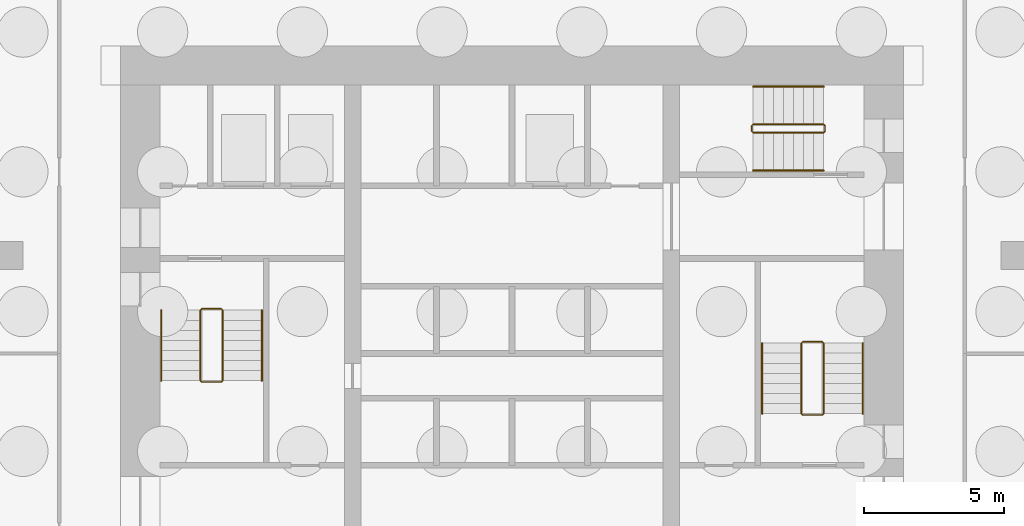
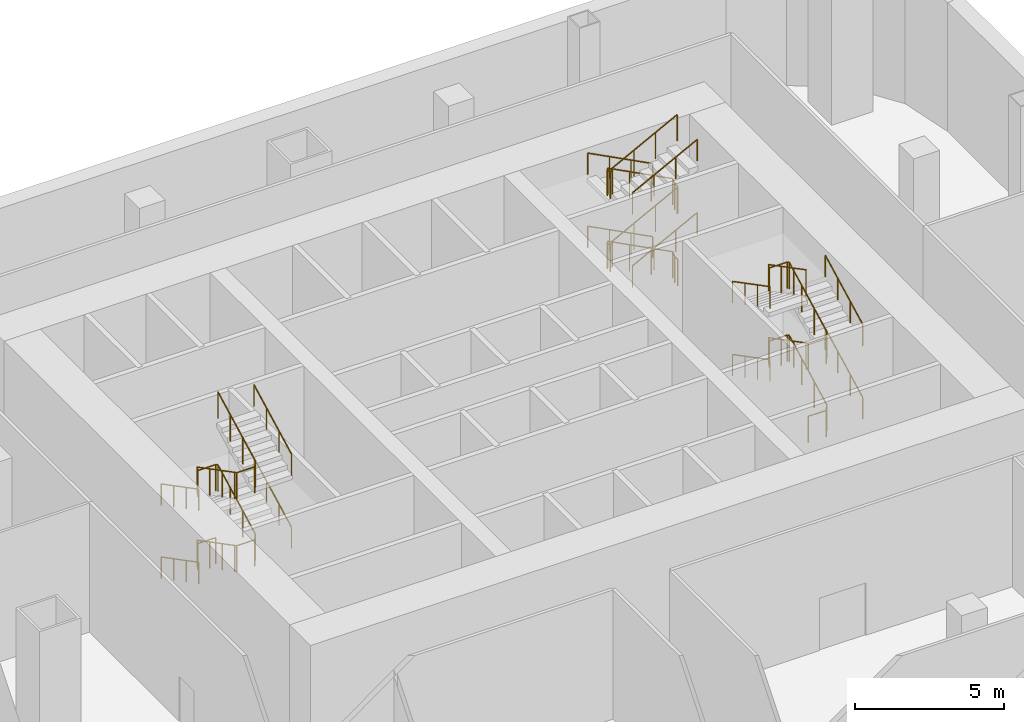
# One storey, part 5 of 6: 15 railings.
"""IFC4 building model written with IfcOpenShell, lengths in metres."""

from ifc_helpers import new_model, si_unit, direction, frame, origin, origin_2d, place, context, subcontext, project, spatial, circle, extrude, material, type_object, element, save


model = new_model("IFC4")

# Units and contexts
model_context = context("Model", 3, precision=1e-05, world=origin(), true_north=direction((0.0, 1.0)))
body_context = subcontext(model_context, "Body", "Model", "MODEL_VIEW")
ifc_project = project(units=[si_unit("LENGTHUNIT", "METRE"), si_unit("AREAUNIT", "SQUARE_METRE"), si_unit("VOLUMEUNIT", "CUBIC_METRE"), si_unit("PLANEANGLEUNIT", "RADIAN"), si_unit("MASSUNIT", "GRAM", prefix="KILO")], contexts=[model_context])

# Site, building, storey
site_placement = place(None, origin())
site = spatial("IfcSite", under=ifc_project, at=site_placement, CompositionType="ELEMENT")
building_placement = place(site_placement, origin())
building = spatial("IfcBuilding", under=site, at=building_placement, Name="Verdant Reach Tower", CompositionType="ELEMENT")
storey_placement = place(building_placement, frame((0.0, 0.0, -6.0)))
storey = spatial("IfcBuildingStorey", under=building, at=storey_placement, Name="B1", CompositionType="ELEMENT", Elevation=-6.0)

# Railings
ifc_material = material(Name="Stainless steel", Category="steel")
railing_type_1 = type_object("IfcRailingType", Name="CO-GUARD", PredefinedType="GUARDRAIL", material=ifc_material)
railing_1_placement = place(storey_placement, frame((-10.39990234375, 29.60009765625, 0.0)))
element("IfcRailing", 1, at=railing_1_placement, inside=storey, type_object=railing_type_1, Name="B1 ST-1 stair guard 1", PredefinedType="GUARDRAIL", context=body_context, shape_type="SweptSolid", body=[
    extrude(circle(Radius=0.02392578125, at=origin_2d()), frame((0.0, 0.0, 1.076171875), z_axis=(-1.0, 0.0, 0.0), x_axis=(0.0, -1.0, 0.0)), (0.0, 0.0, 1.0), 0.7001953125),
    extrude(circle(Radius=0.02392578125, at=origin_2d()), frame((-0.7001953125, 0.0, 1.076171875), z_axis=(-0.248583702486, -0.249802250048, 0.935844527007), x_axis=(0.708833529934, -0.705375805398, 0.0)), (0.0, 0.0, 1.0), 0.200439453125),
    extrude(circle(Radius=0.02392578125, at=origin_2d()), frame((-0.75, -0.050048828125, 1.263671875), z_axis=(0.0, -0.886915550956, 0.461931602591), x_axis=(1.0, 0.0, 0.0)), (0.0, 0.0, 1.0), 2.84130859375),
    extrude(circle(Radius=0.02392578125, at=origin_2d()), frame((-0.75, -2.570068359375, 2.576171875), z_axis=(0.705375805398, -0.708833529934, 0.0), x_axis=(0.708833529934, 0.705375805398, 0.0)), (0.0, 0.0, 1.0), 0.070556640625),
    extrude(circle(Radius=0.02392578125, at=origin_2d()), frame((-0.7001953125, -2.6201171875, 2.576171875), z_axis=(1.0, 0.0, 0.0), x_axis=(0.0, 1.0, 0.0)), (0.0, 0.0, 1.0), 0.7001953125),
    extrude(circle(Radius=0.02392578125, at=origin_2d()), frame((0.0, -2.6201171875, 2.576171875), z_axis=(0.248583702486, 0.249802250048, 0.935844527007), x_axis=(-0.708833529934, 0.705375805398, 0.0)), (0.0, 0.0, 1.0), 0.200439453125),
    extrude(circle(Radius=0.02392578125, at=origin_2d()), frame((0.0498046875, -2.570068359375, 2.763671875), z_axis=(0.0, 0.886915550956, 0.461931602591), x_axis=(-1.0, 0.0, 0.0)), (0.0, 0.0, 1.0), 2.84130859375),
    extrude(circle(Radius=0.02392578125, at=origin_2d()), frame((0.0498046875, -0.050048828125, 4.076171875), z_axis=(-0.705375805398, 0.708833529934, 0.0), x_axis=(-0.708833529934, -0.705375805398, 0.0)), (0.0, 0.0, 1.0), 0.070556640625),
    extrude(circle(Radius=0.02392578125, at=origin_2d()), frame((0.0, 0.0, 4.076171875), z_axis=(-1.0, 0.0, 0.0), x_axis=(0.0, -1.0, 0.0)), (0.0, 0.0, 1.0), 0.7001953125),
    extrude(circle(Radius=0.02392578125, at=origin_2d()), frame((-0.7001953125, 0.0, 4.076171875), z_axis=(-0.248583702486, -0.249802250048, 0.935844527007), x_axis=(0.708833529934, -0.705375805398, 0.0)), (0.0, 0.0, 1.0), 0.200439453125),
    extrude(circle(Radius=0.02392578125, at=origin_2d()), frame((-0.75, -0.050048828125, 4.263671875), z_axis=(0.0, -0.886915550956, 0.461931602591), x_axis=(1.0, 0.0, 0.0)), (0.0, 0.0, 1.0), 2.84130859375),
    extrude(circle(Radius=0.02392578125, at=origin_2d()), frame((-0.75, -2.570068359375, 5.576171875), z_axis=(0.705375805398, -0.708833529934, 0.0), x_axis=(0.708833529934, 0.705375805398, 0.0)), (0.0, 0.0, 1.0), 0.070556640625),
    extrude(circle(Radius=0.02392578125, at=origin_2d()), frame((-0.7001953125, -2.6201171875, 5.576171875), z_axis=(1.0, 0.0, 0.0), x_axis=(0.0, 1.0, 0.0)), (0.0, 0.0, 1.0), 0.7001953125),
    extrude(circle(Radius=0.02392578125, at=origin_2d()), frame((0.0, -2.6201171875, 5.576171875), z_axis=(0.248583702486, 0.249802250048, 0.935844527007), x_axis=(-0.708833529934, 0.705375805398, 0.0)), (0.0, 0.0, 1.0), 0.200439453125),
    extrude(circle(Radius=0.02392578125, at=origin_2d()), frame((0.0498046875, -2.570068359375, 5.763671875), z_axis=(0.0, 0.886915550956, 0.461931602591), x_axis=(-1.0, 0.0, 0.0)), (0.0, 0.0, 1.0), 2.84130859375),
    extrude(circle(Radius=0.02099609375, at=origin_2d()), origin(), (0.0, 0.0, 1.0), 1.052001953125),
    extrude(circle(Radius=0.02099609375, at=origin_2d()), frame((-0.7001953125, 0.0, 0.0)), (0.0, 0.0, 1.0), 1.052001953125),
    extrude(circle(Radius=0.02099609375, at=origin_2d()), frame((-0.75, -0.050048828125, 0.1875)), (0.0, 0.0, 1.0), 1.052001953125),
    extrude(circle(Radius=0.02099609375, at=origin_2d()), frame((-0.75, -0.89013671875, 0.625)), (0.0, 0.0, 1.0), 1.052001953125),
    extrude(circle(Radius=0.02099609375, at=origin_2d()), frame((-0.75, -1.72998046875, 1.0625)), (0.0, 0.0, 1.0), 1.052001953125),
    extrude(circle(Radius=0.02099609375, at=origin_2d()), frame((-0.75, -2.570068359375, 1.5)), (0.0, 0.0, 1.0), 1.052001953125),
    extrude(circle(Radius=0.02099609375, at=origin_2d()), frame((-0.7001953125, -2.6201171875, 1.5)), (0.0, 0.0, 1.0), 1.052001953125),
    extrude(circle(Radius=0.02099609375, at=origin_2d()), frame((0.0, -2.6201171875, 1.5)), (0.0, 0.0, 1.0), 1.052001953125),
    extrude(circle(Radius=0.02099609375, at=origin_2d()), frame((0.0498046875, -2.570068359375, 1.6875)), (0.0, 0.0, 1.0), 1.052001953125),
    extrude(circle(Radius=0.02099609375, at=origin_2d()), frame((0.0498046875, -1.72998046875, 2.125)), (0.0, 0.0, 1.0), 1.052001953125),
    extrude(circle(Radius=0.02099609375, at=origin_2d()), frame((0.0498046875, -0.89013671875, 2.5625)), (0.0, 0.0, 1.0), 1.052001953125),
    extrude(circle(Radius=0.02099609375, at=origin_2d()), frame((0.0498046875, -0.050048828125, 3.0)), (0.0, 0.0, 1.0), 1.052001953125),
    extrude(circle(Radius=0.02099609375, at=origin_2d()), frame((0.0, 0.0, 3.0)), (0.0, 0.0, 1.0), 1.052001953125),
    extrude(circle(Radius=0.02099609375, at=origin_2d()), frame((-0.7001953125, 0.0, 3.0)), (0.0, 0.0, 1.0), 1.052001953125),
    extrude(circle(Radius=0.02099609375, at=origin_2d()), frame((-0.75, -0.050048828125, 3.1875)), (0.0, 0.0, 1.0), 1.052001953125),
    extrude(circle(Radius=0.02099609375, at=origin_2d()), frame((-0.75, -0.89013671875, 3.625)), (0.0, 0.0, 1.0), 1.052001953125),
    extrude(circle(Radius=0.02099609375, at=origin_2d()), frame((-0.75, -1.72998046875, 4.0625)), (0.0, 0.0, 1.0), 1.052001953125),
    extrude(circle(Radius=0.02099609375, at=origin_2d()), frame((-0.75, -2.570068359375, 4.5)), (0.0, 0.0, 1.0), 1.052001953125),
    extrude(circle(Radius=0.02099609375, at=origin_2d()), frame((-0.7001953125, -2.6201171875, 4.5)), (0.0, 0.0, 1.0), 1.052001953125),
    extrude(circle(Radius=0.02099609375, at=origin_2d()), frame((0.0, -2.6201171875, 4.5)), (0.0, 0.0, 1.0), 1.052001953125),
    extrude(circle(Radius=0.02099609375, at=origin_2d()), frame((0.0498046875, -2.570068359375, 4.6875)), (0.0, 0.0, 1.0), 1.052001953125),
    extrude(circle(Radius=0.02099609375, at=origin_2d()), frame((0.0498046875, -1.72998046875, 5.125)), (0.0, 0.0, 1.0), 1.052001953125),
    extrude(circle(Radius=0.02099609375, at=origin_2d()), frame((0.0498046875, -0.89013671875, 5.5625)), (0.0, 0.0, 1.0), 1.052001953125),
    extrude(circle(Radius=0.02099609375, at=origin_2d()), frame((0.0498046875, -0.050048828125, 6.0)), (0.0, 0.0, 1.0), 1.052001953125),
])
railing_2_placement = place(storey_placement, frame((10.39990234375, 25.800048828125, 0.0)))
element("IfcRailing", 2, at=railing_2_placement, inside=storey, type_object=railing_type_1, Name="B1 ST-2 stair guard 1", PredefinedType="GUARDRAIL", context=body_context, shape_type="SweptSolid", body=[
    extrude(circle(Radius=0.02392578125, at=origin_2d()), frame((0.0, 0.0, 1.076171875), z_axis=(1.0, 0.0, 0.0), x_axis=(0.0, 1.0, 0.0)), (0.0, 0.0, 1.0), 0.7001953125),
    extrude(circle(Radius=0.02392578125, at=origin_2d()), frame((0.7001953125, 0.0, 1.076171875), z_axis=(0.248583702486, 0.249802250048, 0.935844527007), x_axis=(-0.708833529934, 0.705375805398, 0.0)), (0.0, 0.0, 1.0), 0.200439453125),
    extrude(circle(Radius=0.02392578125, at=origin_2d()), frame((0.75, 0.050048828125, 1.263671875), z_axis=(0.0, 0.886915550956, 0.461931602591), x_axis=(-1.0, 0.0, 0.0)), (0.0, 0.0, 1.0), 2.84130859375),
    extrude(circle(Radius=0.02392578125, at=origin_2d()), frame((0.75, 2.570068359375, 2.576171875), z_axis=(-0.707106781187, 0.707106781187, 0.0), x_axis=(-0.707106781187, -0.707106781187, 0.0)), (0.0, 0.0, 1.0), 0.0703125),
    extrude(circle(Radius=0.02392578125, at=origin_2d()), frame((0.7001953125, 2.619873046875, 2.576171875), z_axis=(-1.0, 0.0, 0.0), x_axis=(0.0, -1.0, 0.0)), (0.0, 0.0, 1.0), 0.7001953125),
    extrude(circle(Radius=0.02392578125, at=origin_2d()), frame((0.0, 2.619873046875, 2.576171875), z_axis=(-0.248659220195, -0.248659220195, 0.936128828968), x_axis=(0.707106781187, -0.707106781187, 0.0)), (0.0, 0.0, 1.0), 0.2001953125),
    extrude(circle(Radius=0.02392578125, at=origin_2d()), frame((-0.0498046875, 2.570068359375, 2.763671875), z_axis=(0.0, -0.886915550956, 0.461931602591), x_axis=(1.0, 0.0, 0.0)), (0.0, 0.0, 1.0), 2.84130859375),
    extrude(circle(Radius=0.02392578125, at=origin_2d()), frame((-0.0498046875, 0.050048828125, 4.076171875), z_axis=(0.705375805398, -0.708833529934, 0.0), x_axis=(0.708833529934, 0.705375805398, 0.0)), (0.0, 0.0, 1.0), 0.070556640625),
    extrude(circle(Radius=0.02392578125, at=origin_2d()), frame((0.0, 0.0, 4.076171875), z_axis=(1.0, 0.0, 0.0), x_axis=(0.0, 1.0, 0.0)), (0.0, 0.0, 1.0), 0.7001953125),
    extrude(circle(Radius=0.02392578125, at=origin_2d()), frame((0.7001953125, 0.0, 4.076171875), z_axis=(0.248583702486, 0.249802250048, 0.935844527007), x_axis=(-0.708833529934, 0.705375805398, 0.0)), (0.0, 0.0, 1.0), 0.200439453125),
    extrude(circle(Radius=0.02392578125, at=origin_2d()), frame((0.75, 0.050048828125, 4.263671875), z_axis=(0.0, 0.886915550956, 0.461931602591), x_axis=(-1.0, 0.0, 0.0)), (0.0, 0.0, 1.0), 2.84130859375),
    extrude(circle(Radius=0.02392578125, at=origin_2d()), frame((0.75, 2.570068359375, 5.576171875), z_axis=(-0.707106781187, 0.707106781187, 0.0), x_axis=(-0.707106781187, -0.707106781187, 0.0)), (0.0, 0.0, 1.0), 0.0703125),
    extrude(circle(Radius=0.02392578125, at=origin_2d()), frame((0.7001953125, 2.619873046875, 5.576171875), z_axis=(-1.0, 0.0, 0.0), x_axis=(0.0, -1.0, 0.0)), (0.0, 0.0, 1.0), 0.7001953125),
    extrude(circle(Radius=0.02392578125, at=origin_2d()), frame((0.0, 2.619873046875, 5.576171875), z_axis=(-0.248659220195, -0.248659220195, 0.936128828968), x_axis=(0.707106781187, -0.707106781187, 0.0)), (0.0, 0.0, 1.0), 0.2001953125),
    extrude(circle(Radius=0.02392578125, at=origin_2d()), frame((-0.0498046875, 2.570068359375, 5.763671875), z_axis=(0.0, -0.886915550956, 0.461931602591), x_axis=(1.0, 0.0, 0.0)), (0.0, 0.0, 1.0), 2.84130859375),
    extrude(circle(Radius=0.02099609375, at=origin_2d()), origin(), (0.0, 0.0, 1.0), 1.052001953125),
    extrude(circle(Radius=0.02099609375, at=origin_2d()), frame((0.7001953125, 0.0, 0.0)), (0.0, 0.0, 1.0), 1.052001953125),
    extrude(circle(Radius=0.02099609375, at=origin_2d()), frame((0.75, 0.050048828125, 0.1875)), (0.0, 0.0, 1.0), 1.052001953125),
    extrude(circle(Radius=0.02099609375, at=origin_2d()), frame((0.75, 0.89013671875, 0.625)), (0.0, 0.0, 1.0), 1.052001953125),
    extrude(circle(Radius=0.02099609375, at=origin_2d()), frame((0.75, 1.72998046875, 1.0625)), (0.0, 0.0, 1.0), 1.052001953125),
    extrude(circle(Radius=0.02099609375, at=origin_2d()), frame((0.75, 2.570068359375, 1.5)), (0.0, 0.0, 1.0), 1.052001953125),
    extrude(circle(Radius=0.02099609375, at=origin_2d()), frame((0.7001953125, 2.619873046875, 1.5)), (0.0, 0.0, 1.0), 1.052001953125),
    extrude(circle(Radius=0.02099609375, at=origin_2d()), frame((0.0, 2.619873046875, 1.5)), (0.0, 0.0, 1.0), 1.052001953125),
    extrude(circle(Radius=0.02099609375, at=origin_2d()), frame((-0.0498046875, 2.570068359375, 1.6875)), (0.0, 0.0, 1.0), 1.052001953125),
    extrude(circle(Radius=0.02099609375, at=origin_2d()), frame((-0.0498046875, 1.72998046875, 2.125)), (0.0, 0.0, 1.0), 1.052001953125),
    extrude(circle(Radius=0.02099609375, at=origin_2d()), frame((-0.0498046875, 0.89013671875, 2.5625)), (0.0, 0.0, 1.0), 1.052001953125),
    extrude(circle(Radius=0.02099609375, at=origin_2d()), frame((-0.0498046875, 0.050048828125, 3.0)), (0.0, 0.0, 1.0), 1.052001953125),
    extrude(circle(Radius=0.02099609375, at=origin_2d()), frame((0.0, 0.0, 3.0)), (0.0, 0.0, 1.0), 1.052001953125),
    extrude(circle(Radius=0.02099609375, at=origin_2d()), frame((0.7001953125, 0.0, 3.0)), (0.0, 0.0, 1.0), 1.052001953125),
    extrude(circle(Radius=0.02099609375, at=origin_2d()), frame((0.75, 0.050048828125, 3.1875)), (0.0, 0.0, 1.0), 1.052001953125),
    extrude(circle(Radius=0.02099609375, at=origin_2d()), frame((0.75, 0.89013671875, 3.625)), (0.0, 0.0, 1.0), 1.052001953125),
    extrude(circle(Radius=0.02099609375, at=origin_2d()), frame((0.75, 1.72998046875, 4.0625)), (0.0, 0.0, 1.0), 1.052001953125),
    extrude(circle(Radius=0.02099609375, at=origin_2d()), frame((0.75, 2.570068359375, 4.5)), (0.0, 0.0, 1.0), 1.052001953125),
    extrude(circle(Radius=0.02099609375, at=origin_2d()), frame((0.7001953125, 2.619873046875, 4.5)), (0.0, 0.0, 1.0), 1.052001953125),
    extrude(circle(Radius=0.02099609375, at=origin_2d()), frame((0.0, 2.619873046875, 4.5)), (0.0, 0.0, 1.0), 1.052001953125),
    extrude(circle(Radius=0.02099609375, at=origin_2d()), frame((-0.0498046875, 2.570068359375, 4.6875)), (0.0, 0.0, 1.0), 1.052001953125),
    extrude(circle(Radius=0.02099609375, at=origin_2d()), frame((-0.0498046875, 1.72998046875, 5.125)), (0.0, 0.0, 1.0), 1.052001953125),
    extrude(circle(Radius=0.02099609375, at=origin_2d()), frame((-0.0498046875, 0.89013671875, 5.5625)), (0.0, 0.0, 1.0), 1.052001953125),
    extrude(circle(Radius=0.02099609375, at=origin_2d()), frame((-0.0498046875, 0.050048828125, 6.0)), (0.0, 0.0, 1.0), 1.052001953125),
])
railing_3_placement = place(storey_placement, frame((11.199951171875, 35.949951171875, 0.0)))
element("IfcRailing", 3, at=railing_3_placement, inside=storey, type_object=railing_type_1, Name="B1 ST-3 stair guard 1", PredefinedType="GUARDRAIL", context=body_context, shape_type="SweptSolid", body=[
    extrude(circle(Radius=0.02392578125, at=origin_2d()), frame((0.0, 0.0, 1.076171875), z_axis=(0.0, 1.0, 0.0), x_axis=(-1.0, 0.0, 0.0)), (0.0, 0.0, 1.0), 0.199951171875),
    extrude(circle(Radius=0.02392578125, at=origin_2d()), frame((0.0, 0.199951171875, 1.076171875), z_axis=(-0.249726431254, 0.249726431254, 0.935560483917), x_axis=(-0.707106781187, -0.707106781187, 0.0)), (0.0, 0.0, 1.0), 0.200439453125),
    extrude(circle(Radius=0.02392578125, at=origin_2d()), frame((-0.050048828125, 0.25, 1.263671875), z_axis=(-0.886915550956, 0.0, 0.461931602591), x_axis=(0.0, -1.0, 0.0)), (0.0, 0.0, 1.0), 2.84130859375),
    extrude(circle(Radius=0.02392578125, at=origin_2d()), frame((-2.570068359375, 0.25, 2.576171875), z_axis=(-0.705375805398, -0.708833529934, 0.0), x_axis=(0.708833529934, -0.705375805398, 0.0)), (0.0, 0.0, 1.0), 0.070556640625),
    extrude(circle(Radius=0.02392578125, at=origin_2d()), frame((-2.619873046875, 0.199951171875, 2.576171875), z_axis=(0.0, -1.0, 0.0), x_axis=(1.0, 0.0, 0.0)), (0.0, 0.0, 1.0), 0.199951171875),
    extrude(circle(Radius=0.02392578125, at=origin_2d()), frame((-2.619873046875, 0.0, 2.576171875), z_axis=(0.248583702486, -0.249802250048, 0.935844527007), x_axis=(0.708833529934, 0.705375805398, 0.0)), (0.0, 0.0, 1.0), 0.200439453125),
    extrude(circle(Radius=0.02392578125, at=origin_2d()), frame((-2.570068359375, -0.050048828125, 2.763671875), z_axis=(0.886915550956, 0.0, 0.461931602591), x_axis=(0.0, 1.0, 0.0)), (0.0, 0.0, 1.0), 2.84130859375),
    extrude(circle(Radius=0.02392578125, at=origin_2d()), frame((-0.050048828125, -0.050048828125, 4.076171875), z_axis=(0.707106781187, 0.707106781187, 0.0), x_axis=(-0.707106781187, 0.707106781187, 0.0)), (0.0, 0.0, 1.0), 0.07080078125),
    extrude(circle(Radius=0.02392578125, at=origin_2d()), frame((0.0, 0.0, 4.076171875), z_axis=(0.0, 1.0, 0.0), x_axis=(-1.0, 0.0, 0.0)), (0.0, 0.0, 1.0), 0.199951171875),
    extrude(circle(Radius=0.02392578125, at=origin_2d()), frame((0.0, 0.199951171875, 4.076171875), z_axis=(-0.249726431254, 0.249726431254, 0.935560483917), x_axis=(-0.707106781187, -0.707106781187, 0.0)), (0.0, 0.0, 1.0), 0.200439453125),
    extrude(circle(Radius=0.02392578125, at=origin_2d()), frame((-0.050048828125, 0.25, 4.263671875), z_axis=(-0.886915550956, 0.0, 0.461931602591), x_axis=(0.0, -1.0, 0.0)), (0.0, 0.0, 1.0), 2.84130859375),
    extrude(circle(Radius=0.02392578125, at=origin_2d()), frame((-2.570068359375, 0.25, 5.576171875), z_axis=(-0.705375805398, -0.708833529934, 0.0), x_axis=(0.708833529934, -0.705375805398, 0.0)), (0.0, 0.0, 1.0), 0.070556640625),
    extrude(circle(Radius=0.02392578125, at=origin_2d()), frame((-2.619873046875, 0.199951171875, 5.576171875), z_axis=(0.0, -1.0, 0.0), x_axis=(1.0, 0.0, 0.0)), (0.0, 0.0, 1.0), 0.199951171875),
    extrude(circle(Radius=0.02392578125, at=origin_2d()), frame((-2.619873046875, 0.0, 5.576171875), z_axis=(0.248583702486, -0.249802250048, 0.935844527007), x_axis=(0.708833529934, 0.705375805398, 0.0)), (0.0, 0.0, 1.0), 0.200439453125),
    extrude(circle(Radius=0.02392578125, at=origin_2d()), frame((-2.570068359375, -0.050048828125, 5.763671875), z_axis=(0.886915550956, 0.0, 0.461931602591), x_axis=(0.0, 1.0, 0.0)), (0.0, 0.0, 1.0), 2.84130859375),
    extrude(circle(Radius=0.02099609375, at=origin_2d()), origin(), (0.0, 0.0, 1.0), 1.052001953125),
    extrude(circle(Radius=0.02099609375, at=origin_2d()), frame((0.0, 0.199951171875, 0.0)), (0.0, 0.0, 1.0), 1.052001953125),
    extrude(circle(Radius=0.02099609375, at=origin_2d()), frame((-0.050048828125, 0.25, 0.1875)), (0.0, 0.0, 1.0), 1.052001953125),
    extrude(circle(Radius=0.02099609375, at=origin_2d()), frame((-0.89013671875, 0.25, 0.625)), (0.0, 0.0, 1.0), 1.052001953125),
    extrude(circle(Radius=0.02099609375, at=origin_2d()), frame((-1.72998046875, 0.25, 1.0625)), (0.0, 0.0, 1.0), 1.052001953125),
    extrude(circle(Radius=0.02099609375, at=origin_2d()), frame((-2.570068359375, 0.25, 1.5)), (0.0, 0.0, 1.0), 1.052001953125),
    extrude(circle(Radius=0.02099609375, at=origin_2d()), frame((-2.619873046875, 0.199951171875, 1.5)), (0.0, 0.0, 1.0), 1.052001953125),
    extrude(circle(Radius=0.02099609375, at=origin_2d()), frame((-2.619873046875, 0.0, 1.5)), (0.0, 0.0, 1.0), 1.052001953125),
    extrude(circle(Radius=0.02099609375, at=origin_2d()), frame((-2.570068359375, -0.050048828125, 1.6875)), (0.0, 0.0, 1.0), 1.052001953125),
    extrude(circle(Radius=0.02099609375, at=origin_2d()), frame((-1.72998046875, -0.050048828125, 2.125)), (0.0, 0.0, 1.0), 1.052001953125),
    extrude(circle(Radius=0.02099609375, at=origin_2d()), frame((-0.89013671875, -0.050048828125, 2.5625)), (0.0, 0.0, 1.0), 1.052001953125),
    extrude(circle(Radius=0.02099609375, at=origin_2d()), frame((-0.050048828125, -0.050048828125, 3.0)), (0.0, 0.0, 1.0), 1.052001953125),
    extrude(circle(Radius=0.02099609375, at=origin_2d()), frame((0.0, 0.0, 3.0)), (0.0, 0.0, 1.0), 1.052001953125),
    extrude(circle(Radius=0.02099609375, at=origin_2d()), frame((0.0, 0.199951171875, 3.0)), (0.0, 0.0, 1.0), 1.052001953125),
    extrude(circle(Radius=0.02099609375, at=origin_2d()), frame((-0.050048828125, 0.25, 3.1875)), (0.0, 0.0, 1.0), 1.052001953125),
    extrude(circle(Radius=0.02099609375, at=origin_2d()), frame((-0.89013671875, 0.25, 3.625)), (0.0, 0.0, 1.0), 1.052001953125),
    extrude(circle(Radius=0.02099609375, at=origin_2d()), frame((-1.72998046875, 0.25, 4.0625)), (0.0, 0.0, 1.0), 1.052001953125),
    extrude(circle(Radius=0.02099609375, at=origin_2d()), frame((-2.570068359375, 0.25, 4.5)), (0.0, 0.0, 1.0), 1.052001953125),
    extrude(circle(Radius=0.02099609375, at=origin_2d()), frame((-2.619873046875, 0.199951171875, 4.5)), (0.0, 0.0, 1.0), 1.052001953125),
    extrude(circle(Radius=0.02099609375, at=origin_2d()), frame((-2.619873046875, 0.0, 4.5)), (0.0, 0.0, 1.0), 1.052001953125),
    extrude(circle(Radius=0.02099609375, at=origin_2d()), frame((-2.570068359375, -0.050048828125, 4.6875)), (0.0, 0.0, 1.0), 1.052001953125),
    extrude(circle(Radius=0.02099609375, at=origin_2d()), frame((-1.72998046875, -0.050048828125, 5.125)), (0.0, 0.0, 1.0), 1.052001953125),
    extrude(circle(Radius=0.02099609375, at=origin_2d()), frame((-0.89013671875, -0.050048828125, 5.5625)), (0.0, 0.0, 1.0), 1.052001953125),
    extrude(circle(Radius=0.02099609375, at=origin_2d()), frame((-0.050048828125, -0.050048828125, 6.0)), (0.0, 0.0, 1.0), 1.052001953125),
])
railing_type_2 = type_object("IfcRailingType", Name="CO-HANDRAIL", PredefinedType="HANDRAIL", material=ifc_material)
railing_4_placement = place(storey_placement, frame((-12.550048828125, 29.550048828125, 0.1875)))
element("IfcRailing", 4, at=railing_4_placement, inside=storey, type_object=railing_type_2, Name="B1 ST-1 stair handrail 1", PredefinedType="HANDRAIL", context=body_context, shape_type="SweptSolid", body=[
    extrude(circle(Radius=0.02392578125, at=origin_2d()), frame((0.0, 0.0, 0.8759765625), z_axis=(0.0, -0.886915550956, 0.461931602591), x_axis=(1.0, 0.0, 0.0)), (0.0, 0.0, 1.0), 2.84130859375),
    extrude(circle(Radius=0.02099609375, at=origin_2d()), origin(), (0.0, 0.0, 1.0), 0.851806640625),
    extrude(circle(Radius=0.02099609375, at=origin_2d()), frame((0.0, -0.840087890625, 0.4375)), (0.0, 0.0, 1.0), 0.851806640625),
    extrude(circle(Radius=0.02099609375, at=origin_2d()), frame((0.0, -1.679931640625, 0.875)), (0.0, 0.0, 1.0), 0.851806640625),
    extrude(circle(Radius=0.02099609375, at=origin_2d()), frame((0.0, -2.52001953125, 1.3125)), (0.0, 0.0, 1.0), 0.851806640625),
])
railing_5_placement = place(storey_placement, frame((-8.949951171875, 27.030029296875, 1.6875)))
element("IfcRailing", 5, at=railing_5_placement, inside=storey, type_object=railing_type_2, Name="B1 ST-1 stair handrail 2", PredefinedType="HANDRAIL", context=body_context, shape_type="SweptSolid", body=[
    extrude(circle(Radius=0.02392578125, at=origin_2d()), frame((0.0, 0.0, 0.8759765625), z_axis=(0.0, 0.886915550956, 0.461931602591), x_axis=(-1.0, 0.0, 0.0)), (0.0, 0.0, 1.0), 2.84130859375),
    extrude(circle(Radius=0.02099609375, at=origin_2d()), origin(), (0.0, 0.0, 1.0), 0.851806640625),
    extrude(circle(Radius=0.02099609375, at=origin_2d()), frame((0.0, 0.840087890625, 0.4375)), (0.0, 0.0, 1.0), 0.851806640625),
    extrude(circle(Radius=0.02099609375, at=origin_2d()), frame((0.0, 1.679931640625, 0.875)), (0.0, 0.0, 1.0), 0.851806640625),
    extrude(circle(Radius=0.02099609375, at=origin_2d()), frame((0.0, 2.52001953125, 1.3125)), (0.0, 0.0, 1.0), 0.851806640625),
])
railing_6_placement = place(storey_placement, frame((-12.550048828125, 29.550048828125, 3.1875)))
element("IfcRailing", 6, at=railing_6_placement, inside=storey, type_object=railing_type_2, Name="B1 ST-1 stair handrail 3", PredefinedType="HANDRAIL", context=body_context, shape_type="SweptSolid", body=[
    extrude(circle(Radius=0.02392578125, at=origin_2d()), frame((0.0, 0.0, 0.8759765625), z_axis=(0.0, -0.886915550956, 0.461931602591), x_axis=(1.0, 0.0, 0.0)), (0.0, 0.0, 1.0), 2.84130859375),
    extrude(circle(Radius=0.02099609375, at=origin_2d()), origin(), (0.0, 0.0, 1.0), 0.851806640625),
    extrude(circle(Radius=0.02099609375, at=origin_2d()), frame((0.0, -0.840087890625, 0.4375)), (0.0, 0.0, 1.0), 0.851806640625),
    extrude(circle(Radius=0.02099609375, at=origin_2d()), frame((0.0, -1.679931640625, 0.875)), (0.0, 0.0, 1.0), 0.851806640625),
    extrude(circle(Radius=0.02099609375, at=origin_2d()), frame((0.0, -2.52001953125, 1.3125)), (0.0, 0.0, 1.0), 0.851806640625),
])
for number, where, name in (
    (7, (-8.949951171875, 27.030029296875, 4.6875), "B1 ST-1 stair handrail 4"),
    (8, (12.550048828125, 25.85009765625, 0.1875), "B1 ST-2 stair handrail 1"),
):
    element("IfcRailing", number, at=place(storey_placement, frame(where)), inside=storey, type_object=railing_type_2, Name=name, PredefinedType="HANDRAIL", context=body_context, shape_type="SweptSolid", body=[
        extrude(circle(Radius=0.02392578125, at=origin_2d()), frame((0.0, 0.0, 0.8759765625), z_axis=(0.0, 0.886915550956, 0.461931602591), x_axis=(-1.0, 0.0, 0.0)), (0.0, 0.0, 1.0), 2.84130859375),
        extrude(circle(Radius=0.02099609375, at=origin_2d()), origin(), (0.0, 0.0, 1.0), 0.851806640625),
        extrude(circle(Radius=0.02099609375, at=origin_2d()), frame((0.0, 0.840087890625, 0.4375)), (0.0, 0.0, 1.0), 0.851806640625),
        extrude(circle(Radius=0.02099609375, at=origin_2d()), frame((0.0, 1.679931640625, 0.875)), (0.0, 0.0, 1.0), 0.851806640625),
        extrude(circle(Radius=0.02099609375, at=origin_2d()), frame((0.0, 2.52001953125, 1.3125)), (0.0, 0.0, 1.0), 0.851806640625),
    ])
railing_7_placement = place(storey_placement, frame((8.949951171875, 28.3701171875, 1.6875)))
element("IfcRailing", 9, at=railing_7_placement, inside=storey, type_object=railing_type_2, Name="B1 ST-2 stair handrail 2", PredefinedType="HANDRAIL", context=body_context, shape_type="SweptSolid", body=[
    extrude(circle(Radius=0.02392578125, at=origin_2d()), frame((0.0, 0.0, 0.8759765625), z_axis=(0.0, -0.886915550956, 0.461931602591), x_axis=(1.0, 0.0, 0.0)), (0.0, 0.0, 1.0), 2.84130859375),
    extrude(circle(Radius=0.02099609375, at=origin_2d()), origin(), (0.0, 0.0, 1.0), 0.851806640625),
    extrude(circle(Radius=0.02099609375, at=origin_2d()), frame((0.0, -0.840087890625, 0.4375)), (0.0, 0.0, 1.0), 0.851806640625),
    extrude(circle(Radius=0.02099609375, at=origin_2d()), frame((0.0, -1.679931640625, 0.875)), (0.0, 0.0, 1.0), 0.851806640625),
    extrude(circle(Radius=0.02099609375, at=origin_2d()), frame((0.0, -2.52001953125, 1.3125)), (0.0, 0.0, 1.0), 0.851806640625),
])
railing_8_placement = place(storey_placement, frame((12.550048828125, 25.85009765625, 3.1875)))
element("IfcRailing", 10, at=railing_8_placement, inside=storey, type_object=railing_type_2, Name="B1 ST-2 stair handrail 3", PredefinedType="HANDRAIL", context=body_context, shape_type="SweptSolid", body=[
    extrude(circle(Radius=0.02392578125, at=origin_2d()), frame((0.0, 0.0, 0.8759765625), z_axis=(0.0, 0.886915550956, 0.461931602591), x_axis=(-1.0, 0.0, 0.0)), (0.0, 0.0, 1.0), 2.84130859375),
    extrude(circle(Radius=0.02099609375, at=origin_2d()), origin(), (0.0, 0.0, 1.0), 0.851806640625),
    extrude(circle(Radius=0.02099609375, at=origin_2d()), frame((0.0, 0.840087890625, 0.4375)), (0.0, 0.0, 1.0), 0.851806640625),
    extrude(circle(Radius=0.02099609375, at=origin_2d()), frame((0.0, 1.679931640625, 0.875)), (0.0, 0.0, 1.0), 0.851806640625),
    extrude(circle(Radius=0.02099609375, at=origin_2d()), frame((0.0, 2.52001953125, 1.3125)), (0.0, 0.0, 1.0), 0.851806640625),
])
railing_9_placement = place(storey_placement, frame((8.949951171875, 28.3701171875, 4.6875)))
element("IfcRailing", 11, at=railing_9_placement, inside=storey, type_object=railing_type_2, Name="B1 ST-2 stair handrail 4", PredefinedType="HANDRAIL", context=body_context, shape_type="SweptSolid", body=[
    extrude(circle(Radius=0.02392578125, at=origin_2d()), frame((0.0, 0.0, 0.8759765625), z_axis=(0.0, -0.886915550956, 0.461931602591), x_axis=(1.0, 0.0, 0.0)), (0.0, 0.0, 1.0), 2.84130859375),
    extrude(circle(Radius=0.02099609375, at=origin_2d()), origin(), (0.0, 0.0, 1.0), 0.851806640625),
    extrude(circle(Radius=0.02099609375, at=origin_2d()), frame((0.0, -0.840087890625, 0.4375)), (0.0, 0.0, 1.0), 0.851806640625),
    extrude(circle(Radius=0.02099609375, at=origin_2d()), frame((0.0, -1.679931640625, 0.875)), (0.0, 0.0, 1.0), 0.851806640625),
    extrude(circle(Radius=0.02099609375, at=origin_2d()), frame((0.0, -2.52001953125, 1.3125)), (0.0, 0.0, 1.0), 0.851806640625),
])
railing_10_placement = place(storey_placement, frame((11.14990234375, 37.550048828125, 0.1875)))
element("IfcRailing", 12, at=railing_10_placement, inside=storey, type_object=railing_type_2, Name="B1 ST-3 stair handrail 1", PredefinedType="HANDRAIL", context=body_context, shape_type="SweptSolid", body=[
    extrude(circle(Radius=0.02392578125, at=origin_2d()), frame((0.0, 0.0, 0.8759765625), z_axis=(-0.886915550956, 0.0, 0.461931602591), x_axis=(0.0, -1.0, 0.0)), (0.0, 0.0, 1.0), 2.84130859375),
    extrude(circle(Radius=0.02099609375, at=origin_2d()), origin(), (0.0, 0.0, 1.0), 0.851806640625),
    extrude(circle(Radius=0.02099609375, at=origin_2d()), frame((-0.840087890625, 0.0, 0.4375)), (0.0, 0.0, 1.0), 0.851806640625),
    extrude(circle(Radius=0.02099609375, at=origin_2d()), frame((-1.679931640625, 0.0, 0.875)), (0.0, 0.0, 1.0), 0.851806640625),
    extrude(circle(Radius=0.02099609375, at=origin_2d()), frame((-2.52001953125, 0.0, 1.3125)), (0.0, 0.0, 1.0), 0.851806640625),
])
railing_11_placement = place(storey_placement, frame((8.6298828125, 34.550048828125, 1.6875)))
element("IfcRailing", 13, at=railing_11_placement, inside=storey, type_object=railing_type_2, Name="B1 ST-3 stair handrail 2", PredefinedType="HANDRAIL", context=body_context, shape_type="SweptSolid", body=[
    extrude(circle(Radius=0.02392578125, at=origin_2d()), frame((0.0, 0.0, 0.8759765625), z_axis=(0.886915550956, 0.0, 0.461931602591), x_axis=(0.0, 1.0, 0.0)), (0.0, 0.0, 1.0), 2.84130859375),
    extrude(circle(Radius=0.02099609375, at=origin_2d()), origin(), (0.0, 0.0, 1.0), 0.851806640625),
    extrude(circle(Radius=0.02099609375, at=origin_2d()), frame((0.840087890625, 0.0, 0.4375)), (0.0, 0.0, 1.0), 0.851806640625),
    extrude(circle(Radius=0.02099609375, at=origin_2d()), frame((1.679931640625, 0.0, 0.875)), (0.0, 0.0, 1.0), 0.851806640625),
    extrude(circle(Radius=0.02099609375, at=origin_2d()), frame((2.52001953125, 0.0, 1.3125)), (0.0, 0.0, 1.0), 0.851806640625),
])
railing_12_placement = place(storey_placement, frame((11.14990234375, 37.550048828125, 3.1875)))
element("IfcRailing", 14, at=railing_12_placement, inside=storey, type_object=railing_type_2, Name="B1 ST-3 stair handrail 3", PredefinedType="HANDRAIL", context=body_context, shape_type="SweptSolid", body=[
    extrude(circle(Radius=0.02392578125, at=origin_2d()), frame((0.0, 0.0, 0.8759765625), z_axis=(-0.886915550956, 0.0, 0.461931602591), x_axis=(0.0, -1.0, 0.0)), (0.0, 0.0, 1.0), 2.84130859375),
    extrude(circle(Radius=0.02099609375, at=origin_2d()), origin(), (0.0, 0.0, 1.0), 0.851806640625),
    extrude(circle(Radius=0.02099609375, at=origin_2d()), frame((-0.840087890625, 0.0, 0.4375)), (0.0, 0.0, 1.0), 0.851806640625),
    extrude(circle(Radius=0.02099609375, at=origin_2d()), frame((-1.679931640625, 0.0, 0.875)), (0.0, 0.0, 1.0), 0.851806640625),
    extrude(circle(Radius=0.02099609375, at=origin_2d()), frame((-2.52001953125, 0.0, 1.3125)), (0.0, 0.0, 1.0), 0.851806640625),
])
railing_13_placement = place(storey_placement, frame((8.6298828125, 34.550048828125, 4.6875)))
element("IfcRailing", 15, at=railing_13_placement, inside=storey, type_object=railing_type_2, Name="B1 ST-3 stair handrail 4", PredefinedType="HANDRAIL", context=body_context, shape_type="SweptSolid", body=[
    extrude(circle(Radius=0.02392578125, at=origin_2d()), frame((0.0, 0.0, 0.8759765625), z_axis=(0.886915550956, 0.0, 0.461931602591), x_axis=(0.0, 1.0, 0.0)), (0.0, 0.0, 1.0), 2.84130859375),
    extrude(circle(Radius=0.02099609375, at=origin_2d()), origin(), (0.0, 0.0, 1.0), 0.851806640625),
    extrude(circle(Radius=0.02099609375, at=origin_2d()), frame((0.840087890625, 0.0, 0.4375)), (0.0, 0.0, 1.0), 0.851806640625),
    extrude(circle(Radius=0.02099609375, at=origin_2d()), frame((1.679931640625, 0.0, 0.875)), (0.0, 0.0, 1.0), 0.851806640625),
    extrude(circle(Radius=0.02099609375, at=origin_2d()), frame((2.52001953125, 0.0, 1.3125)), (0.0, 0.0, 1.0), 0.851806640625),
])

save(model, "model.ifc")
